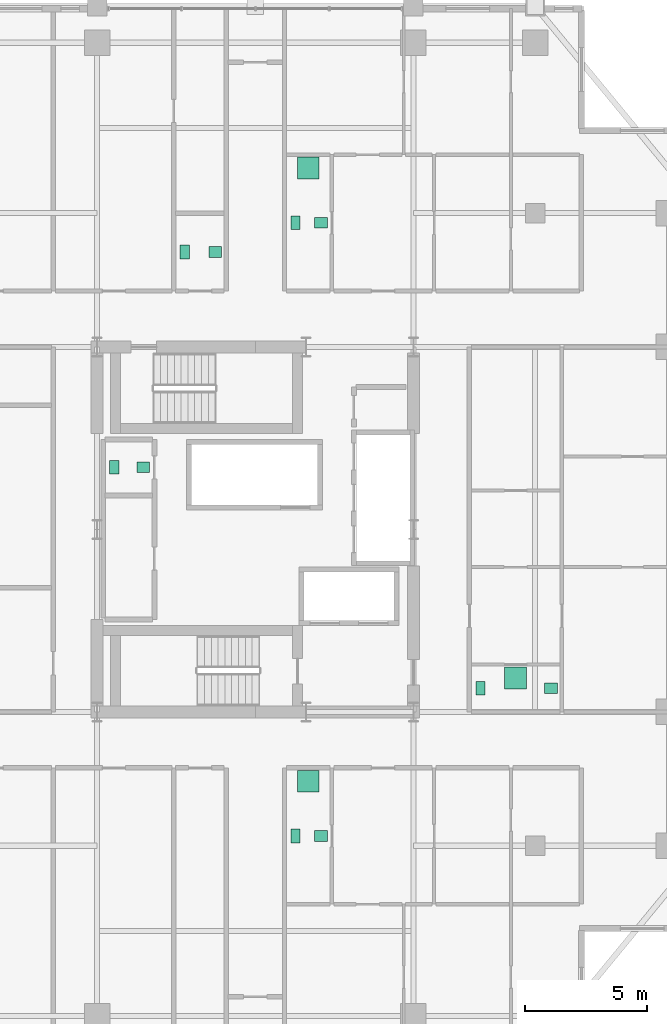
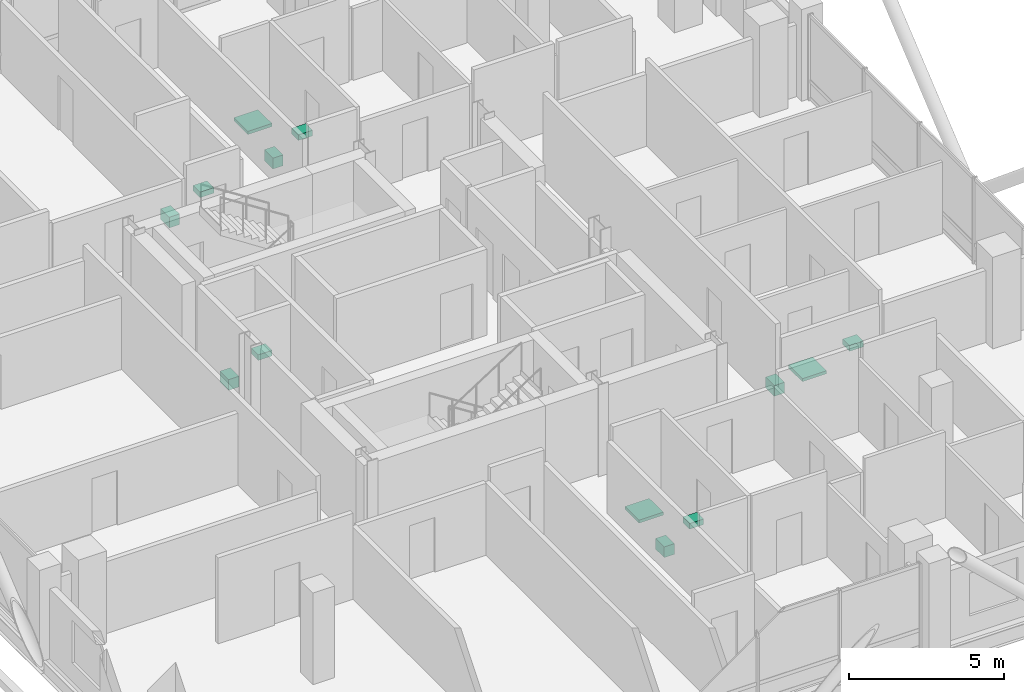
# One storey, part 26 of 26: 13 sanitary terminals.
"""IFC4 building model written with IfcOpenShell, lengths in metres."""

from ifc_helpers import new_model, si_unit, direction, frame, origin, origin_2d, place, context, subcontext, project, spatial, rectangle, extrude, material, type_object, element, save


model = new_model("IFC4")

# Units and contexts
model_context = context("Model", 3, precision=1e-05, world=origin(), true_north=direction((0.0, 1.0)))
body_context = subcontext(model_context, "Body", "Model", "MODEL_VIEW")
ifc_project = project(units=[si_unit("LENGTHUNIT", "METRE"), si_unit("AREAUNIT", "SQUARE_METRE"), si_unit("VOLUMEUNIT", "CUBIC_METRE"), si_unit("PLANEANGLEUNIT", "RADIAN"), si_unit("MASSUNIT", "GRAM", prefix="KILO")], contexts=[model_context])

# Site, building, storey
site_placement = place(None, origin())
site = spatial("IfcSite", under=ifc_project, at=site_placement, CompositionType="ELEMENT")
building_placement = place(site_placement, origin())
building = spatial("IfcBuilding", under=site, at=building_placement, Name="Barlavira Tower and Art Museum", CompositionType="ELEMENT")
storey_placement = place(building_placement, frame((0.0, 0.0, 176.39990234375)))
storey = spatial("IfcBuildingStorey", under=building, at=storey_placement, Name="L45", CompositionType="ELEMENT", Elevation=176.39990234375)

# Sanitary terminals
ifc_material = material(Name="Vitreous glazed ceramic", Category="ceramic")
sanitary_terminal_type_1 = type_object("IfcSanitaryTerminalType", Name="Countertop Ceramic Wash Hand Basin", PredefinedType="WASHHANDBASIN", material=ifc_material)
for number, where, z_axis, x_axis, name in (
    (1, (-4.60009765625, 2.550048828125, 0.740234375), (0.0, 0.0, 1.0), (1.0, 0.0, 0.0), "L45-C-REC1W Wash Basin"),
    (2, (2.699951171875, -12.60009765625, 0.740234375), (0.0, 0.0, 1.0), (1.0, 0.0, 0.0), "L45-SE1-BTH1 Wash Basin"),
    (3, (-1.64990234375, 11.39990234375, 0.740234375), (0.0, 0.0, 1.0), (1.0, 0.0, 0.0), "L45-NW-SWC Wash Basin"),
    (4, (2.699951171875, 12.60009765625, 0.740234375), (0.0, 0.0, 1.0), (1.0, 0.0, 0.0), "L45-NE1-BTH1 Wash Basin"),
    (5, (12.14990234375, -6.52490234375, 0.740234375), (0.0, 0.0, 1.0), (1.0, 0.0, 0.0), "L45-E1-BTH1 Wash Basin"),
):
    element("IfcSanitaryTerminal", number, at=place(storey_placement, frame(where, z_axis=z_axis, x_axis=x_axis)), inside=storey, type_object=sanitary_terminal_type_1, Name=name, PredefinedType="WASHHANDBASIN", context=body_context, shape_type="SweptSolid", body=[
        extrude(rectangle(XDim=0.52001953125, YDim=0.43994140625, at=origin_2d()), origin(), (0.0, 0.0, 1.0), 0.219970703125),
    ])
sanitary_terminal_type_2 = type_object("IfcSanitaryTerminalType", Name="Walk-In Thermostatic Rain Shower Unit", PredefinedType="SHOWER", material=ifc_material)
for number, where, z_axis, x_axis, name in (
    (6, (2.175048828125, -10.35009765625, 0.0), (0.0, 0.0, 1.0), (1.0, 0.0, 0.0), "L45-SE1-BTH1 Rain Shower"),
    (7, (2.175048828125, 14.85009765625, 0.0), (0.0, 0.0, 1.0), (1.0, 0.0, 0.0), "L45-NE1-BTH1 Rain Shower"),
    (8, (10.699951171875, -6.10009765625, 0.0), (0.0, 0.0, 1.0), (1.0, 0.0, 0.0), "L45-E1-BTH1 Rain Shower"),
):
    element("IfcSanitaryTerminal", number, at=place(storey_placement, frame(where, z_axis=z_axis, x_axis=x_axis)), inside=storey, type_object=sanitary_terminal_type_2, Name=name, PredefinedType="SHOWER", context=body_context, shape_type="SweptSolid", body=[
        extrude(rectangle(XDim=0.89990234375, YDim=0.89990234375, at=origin_2d()), origin(), (0.0, 0.0, 1.0), 0.1201171875),
    ])
sanitary_terminal_type_3 = type_object("IfcSanitaryTerminalType", Name="Wall-Hung Dual-Flush Vitreous WC Pan", PredefinedType="TOILETPAN", material=ifc_material)
for number, where, z_axis, x_axis, name in (
    (9, (-5.800048828125, 2.550048828125, 0.000244140625), (0.0, 0.0, 1.0), (1.0, 0.0, 0.0), "L45-C-REC1W WC Pan"),
    (10, (1.64990234375, -12.60009765625, 0.000244140625), (0.0, 0.0, 1.0), (1.0, 0.0, 0.0), "L45-SE1-BTH1 WC Pan"),
    (11, (-2.89990234375, 11.39990234375, 0.000244140625), (0.0, 0.0, 1.0), (1.0, 0.0, 0.0), "L45-NW-SWC WC Pan"),
    (12, (1.64990234375, 12.60009765625, 0.000244140625), (0.0, 0.0, 1.0), (1.0, 0.0, 0.0), "L45-NE1-BTH1 WC Pan"),
    (13, (9.25, -6.52490234375, 0.000244140625), (0.0, 0.0, 1.0), (1.0, 0.0, 0.0), "L45-E1-BTH1 WC Pan"),
):
    element("IfcSanitaryTerminal", number, at=place(storey_placement, frame(where, z_axis=z_axis, x_axis=x_axis)), inside=storey, type_object=sanitary_terminal_type_3, Name=name, PredefinedType="TOILETPAN", context=body_context, shape_type="SweptSolid", body=[
        extrude(rectangle(XDim=0.3798828125, YDim=0.56005859375, at=origin_2d()), origin(), (0.0, 0.0, 1.0), 0.419921875),
    ])

save(model, "model.ifc")
